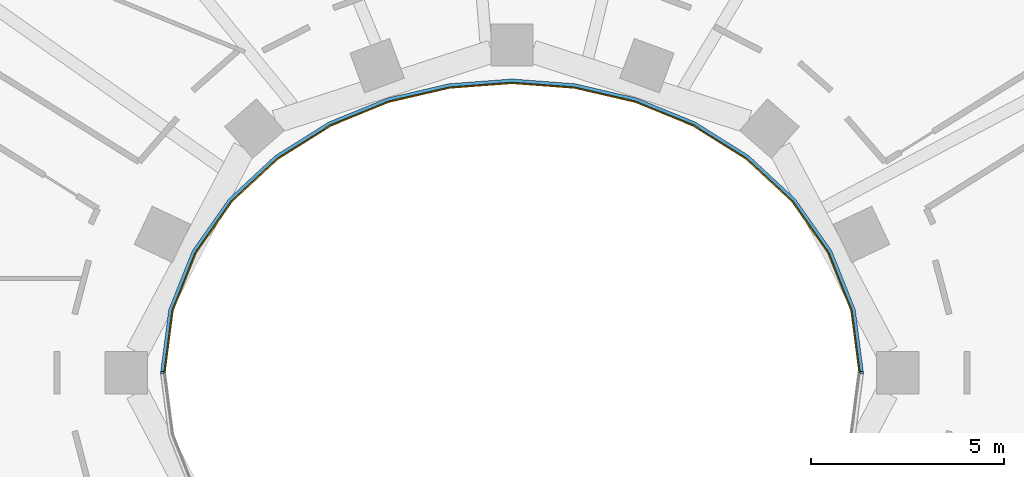
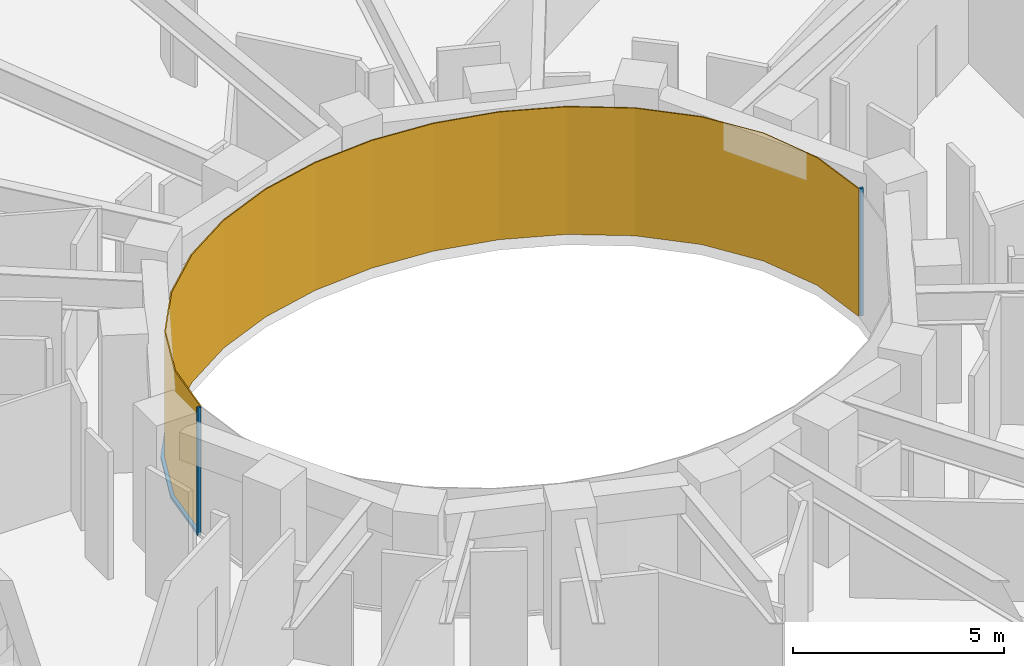
# One storey, part 12 of 16: 3 members, 1 curtain wall.
"""IFC4 building model written with IfcOpenShell, lengths in metres."""

from ifc_helpers import new_model, si_unit, direction, frame, origin, origin_2d, place, context, subcontext, project, spatial, polyline, rectangle, outline, extrude, material, layer, layer_set, material_profile, profile_set, type_object, element, aggregate, save


model = new_model("IFC4")

# Units and contexts
model_context = context("Model", 3, precision=1e-05, world=origin(), true_north=direction((0.0, 1.0)))
body_context = subcontext(model_context, "Body", "Model", "MODEL_VIEW")
ifc_project = project(units=[si_unit("LENGTHUNIT", "METRE"), si_unit("AREAUNIT", "SQUARE_METRE"), si_unit("VOLUMEUNIT", "CUBIC_METRE"), si_unit("PLANEANGLEUNIT", "RADIAN"), si_unit("MASSUNIT", "GRAM", prefix="KILO")], contexts=[model_context])

# Member
ifc_material_1 = material(Name="Steel S355 fire-resisting frame", Category="steel")
ifc_material_profile = material_profile(ifc_material_1, rectangle(XDim=0.090087890625, YDim=0.06005859375, at=origin_2d()), Name="90x60")
ifc_profile_set = profile_set([ifc_material_profile], Name="Steel S355 fire-resisting frame")
member_type_1 = type_object("IfcMemberType", Name="ENV-MULLION-W-90", PredefinedType="MULLION", material=ifc_profile_set)
site_placement = place(None, origin())
building_placement = place(site_placement, origin())
storey_placement = place(building_placement, frame((0.0, 0.0, 162.0)))
member_1_placement = place(storey_placement, frame((9.076904296875, 0.0, 0.0), z_axis=(0.0, 0.0, 1.0), x_axis=(1.0, 0.0, 0.0)))
member_1 = element("IfcMember", 1, at=member_1_placement, type_object=member_type_1, Name="Mullion W well vertex 01", PredefinedType="MULLION", context=body_context, shape_type="SweptSolid", body=[
    extrude(rectangle(XDim=0.090087890625, YDim=0.06005859375, at=origin_2d()), origin(), (0.0, 0.0, 1.0), 3.699951171875),
])

member_2_placement = place(storey_placement, frame((-9.076904296875, 0.0, 0.0), z_axis=(0.0, 0.0, 1.0), x_axis=(-1.0, 0.0, 0.0)))
member_2 = element("IfcMember", 2, at=member_2_placement, type_object=member_type_1, Name="Mullion W well vertex 17", PredefinedType="MULLION", context=body_context, shape_type="SweptSolid", body=[
    extrude(rectangle(XDim=0.090087890625, YDim=0.06005859375, at=origin_2d()), origin(), (0.0, 0.0, 1.0), 3.699951171875),
])

ifc_material_2 = material(Name="Steel S355 fire-resisting frame", Category="steel")
member_type_2 = type_object("IfcMemberType", Name="ENV-TRANSOM-W", PredefinedType="USERDEFINED", material=ifc_material_2)
member_3_placement = place(storey_placement, origin())
member_3 = element("IfcMember", 3, at=member_3_placement, type_object=member_type_2, Name="Transom W well 01-17", ObjectType="TRANSOM", PredefinedType="USERDEFINED", context=body_context, shape_type="SweptSolid", body=[
    extrude(outline(polyline([(9.119384765625, 0.02783203125), (8.910400390625, 1.63623046875), (8.29833984375, 3.167236328125), (7.35107421875, 4.5146484375), (6.1455078125, 5.6337890625), (4.75341796875, 6.50634765625), (3.233642578125, 7.127685546875), (1.635498046875, 7.498779296875), (0.0, 7.622314453125), (-1.635498046875, 7.498779296875), (-3.233642578125, 7.127685546875), (-4.75341796875, 6.50634765625), (-6.1455078125, 5.6337890625), (-7.35107421875, 4.5146484375), (-8.29833984375, 3.167236328125), (-8.910400390625, 1.63623046875), (-9.119384765625, 0.02783203125), (-9.02880859375, 0.02783203125), (-8.822509765625, 1.61328125), (-8.21875, 3.124267578125), (-7.282958984375, 4.455078125), (-6.090576171875, 5.56201171875), (-4.712158203125, 6.426025390625), (-3.206298828125, 7.04150390625), (-1.621826171875, 7.40966796875), (0.0, 7.531982421875), (1.621826171875, 7.40966796875), (3.206298828125, 7.04150390625), (4.712158203125, 6.426025390625), (6.090576171875, 5.56201171875), (7.282958984375, 4.455078125), (8.21875, 3.124267578125), (8.822509765625, 1.61328125), (9.02880859375, 0.02783203125), (9.119384765625, 0.02783203125)])), origin(), (0.0, 0.0, 1.0), 0.080078125),
])

# Site, building, storey
site = spatial("IfcSite", under=ifc_project, at=site_placement, CompositionType="ELEMENT")
building = spatial("IfcBuilding", under=site, at=building_placement, Name="Noorbagh Ring Tower", CompositionType="ELEMENT")
storey = spatial("IfcBuildingStorey", under=building, at=storey_placement, Name="L37", CompositionType="ELEMENT", Elevation=162.0)

# Curtain wall
ifc_material_3 = material(Name="Glass fire-resisting E60 laminated", Category="glass")
ifc_layer = layer(ifc_material_3, 0.031982421875)
ifc_layer_set = layer_set([ifc_layer], Name="Glass fire-resisting E60 laminated")
curtain_wall_type = type_object("IfcCurtainWallType", Name="ENV-CW-W", PredefinedType="NOTDEFINED", material=ifc_layer_set)
curtain_wall_placement = place(storey_placement, origin())
curtain_wall = element("IfcCurtainWall", 4, at=curtain_wall_placement, inside=storey, type_object=curtain_wall_type, Name="Curtain wall W W01", PredefinedType="NOTDEFINED", context=body_context, shape_type="SweptSolid", body=[
    extrude(outline(polyline([(9.0322265625, 0.0), (8.822509765625, 1.61328125), (8.21875, 3.124267578125), (7.282958984375, 4.455078125), (6.090576171875, 5.56201171875), (4.712158203125, 6.426025390625), (3.206298828125, 7.04150390625), (1.621826171875, 7.40966796875), (0.0, 7.531982421875), (-1.621826171875, 7.40966796875), (-3.206298828125, 7.04150390625), (-4.712158203125, 6.426025390625), (-6.090576171875, 5.56201171875), (-7.282958984375, 4.455078125), (-8.21875, 3.124267578125), (-8.822509765625, 1.61328125), (-9.0322265625, 0.0), (-9.0, 0.0), (-8.79150390625, 1.605224609375), (-8.1904296875, 3.10888671875), (-7.2587890625, 4.43408203125), (-6.071044921875, 5.53662109375), (-4.697509765625, 6.3974609375), (-3.196533203125, 7.010986328125), (-1.6171875, 7.3779296875), (0.0, 7.5), (1.6171875, 7.3779296875), (3.196533203125, 7.010986328125), (4.697509765625, 6.3974609375), (6.071044921875, 5.53662109375), (7.2587890625, 4.43408203125), (8.1904296875, 3.10888671875), (8.79150390625, 1.605224609375), (9.0, 0.0), (9.0322265625, 0.0)])), origin(), (0.0, 0.0, 1.0), 3.699951171875),
])

aggregate(curtain_wall, [member_1, member_2, member_3])

save(model, "model.ifc")
